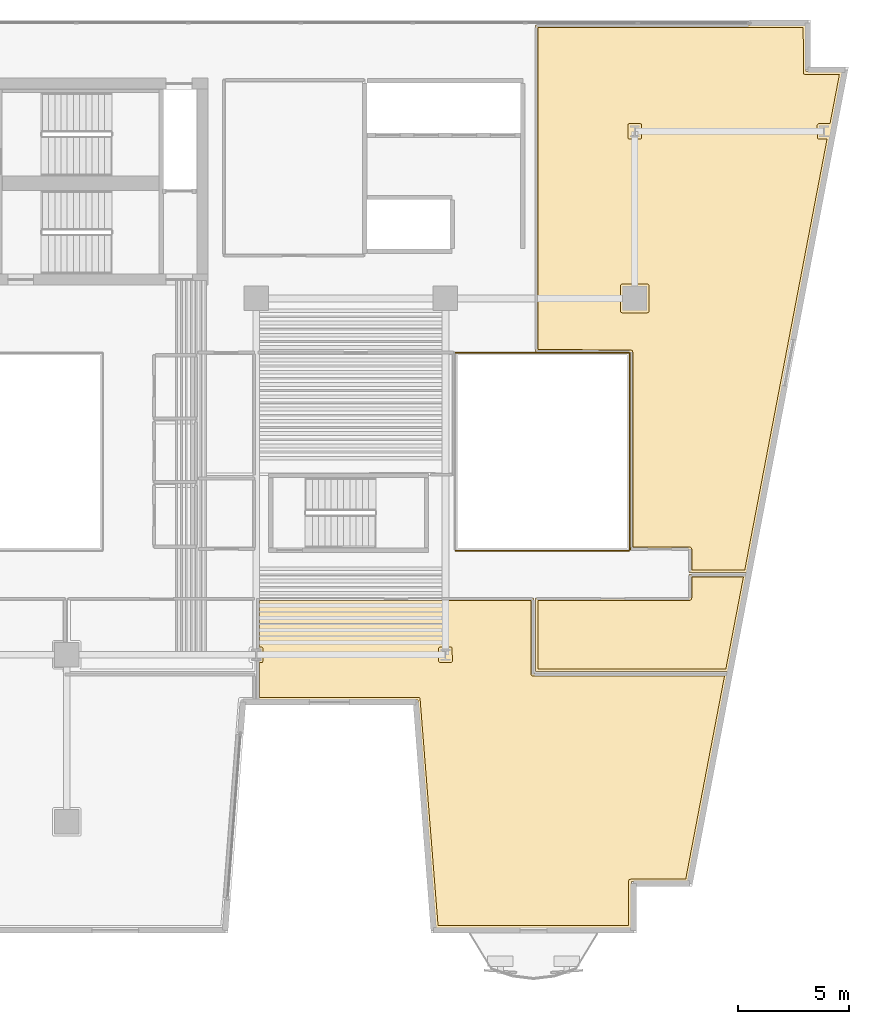
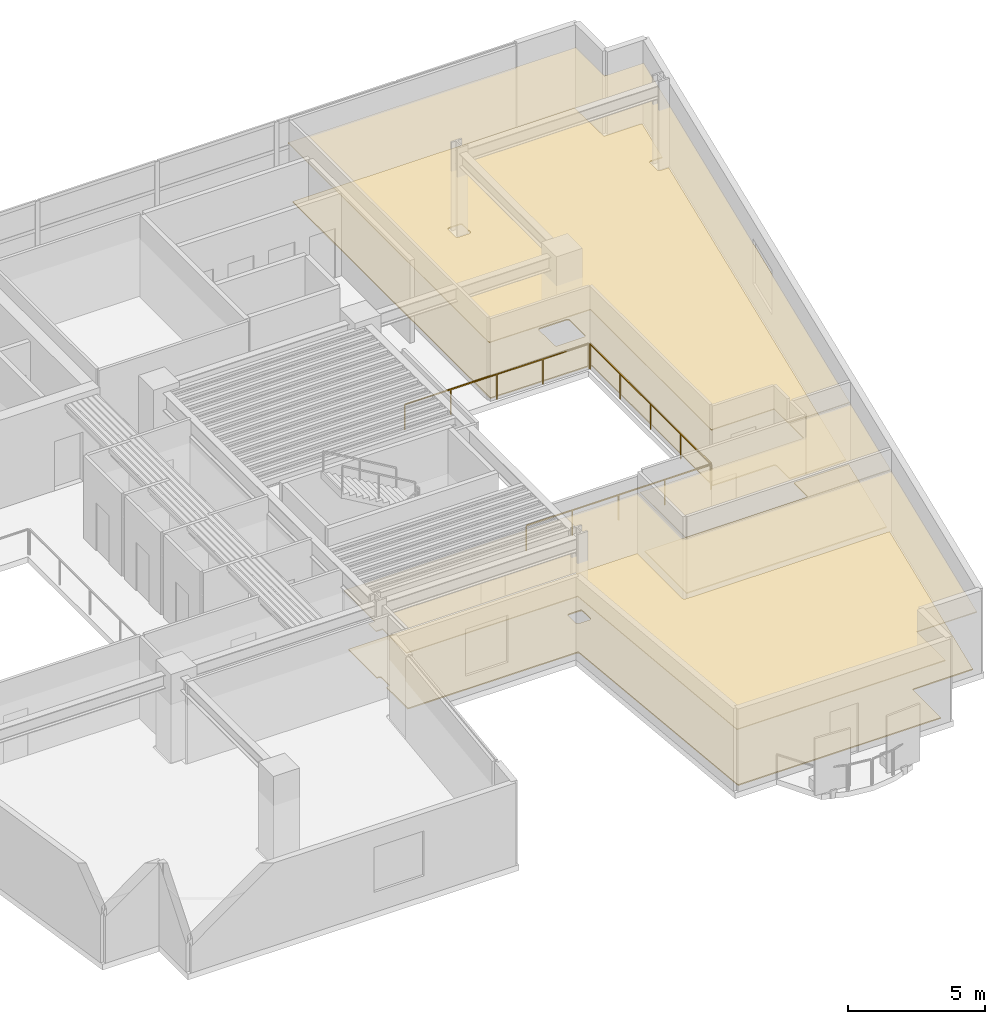
# One storey, part 11 of 12: 6 coverings, 3 railings.
"""IFC4 building model written with IfcOpenShell, lengths in metres."""

from ifc_helpers import new_model, si_unit, direction, frame, origin, origin_2d, place, context, subcontext, project, spatial, polyline, rectangle, outline, extrude, material, layer, layer_set, type_object, element, save


model = new_model("IFC4")

# Units and contexts
model_context = context("Model", 3, precision=1e-05, world=origin(), true_north=direction((0.0, 1.0)))
body_context = subcontext(model_context, "Body", "Model", "MODEL_VIEW")
ifc_project = project(units=[si_unit("LENGTHUNIT", "METRE"), si_unit("AREAUNIT", "SQUARE_METRE"), si_unit("VOLUMEUNIT", "CUBIC_METRE"), si_unit("PLANEANGLEUNIT", "RADIAN"), si_unit("MASSUNIT", "GRAM", prefix="KILO")], contexts=[model_context])

# Site, building, storey
site_placement = place(None, origin())
site = spatial("IfcSite", under=ifc_project, at=site_placement, CompositionType="ELEMENT")
building_placement = place(site_placement, origin())
building = spatial("IfcBuilding", under=site, at=building_placement, Name="Caeloran Harvest Quay", CompositionType="ELEMENT")
storey_placement = place(building_placement, frame((0.0, 0.0, 119.300048828125)))
storey = spatial("IfcBuildingStorey", under=building, at=storey_placement, Name="L27", CompositionType="ELEMENT", Elevation=119.300048828125)

# Coverings
ifc_material_1 = material(Name="Perforated Mineral-Fibre Acoustic Ceiling Tile", Category="ceiling")
ifc_layer_1 = layer(ifc_material_1, 0.0400390625, Name="Perforated Mineral-Fibre Acoustic Ceiling Tile")
ifc_layer_set_1 = layer_set([ifc_layer_1], Name="Perforated Mineral-Fibre Acoustic Ceiling Tile")
covering_type_1 = type_object("IfcCoveringType", Name="COV-CEILING-ACOUSTIC", PredefinedType="CEILING", material=ifc_layer_set_1)
covering_1_placement = place(storey_placement, frame((0.0, 0.0, 2.599853515625)))
element("IfcCovering", 1, at=covering_1_placement, inside=storey, type_object=covering_type_1, Name="Crop Genomics Wet Laboratory Acoustic Ceiling", PredefinedType="CEILING", context=body_context, shape_type="SweptSolid", body=[
    extrude(outline(polyline([(25.5400390625, 14.722900390625), (25.261474609375, 14.722900390625), (25.261474609375, 15.277099609375), (25.5400390625, 15.277099609375), (25.5400390625, 17.56005859375), (37.9599609375, 17.56005859375), (37.9599609375, 14.159912109375), (46.6728515625, 14.159912109375), (44.888916015625, 4.820068359375), (42.35009765625, 4.820068359375), (42.35009765625, 2.719970703125), (33.55859375, 2.719970703125), (32.758544921875, 12.969970703125), (25.5400390625, 12.969970703125), (25.5400390625, 14.722900390625)])), origin(), (0.0, 0.0, 1.0), 0.0400390625),
])
covering_2_placement = place(storey_placement, frame((0.0, 0.0, 2.599853515625)))
element("IfcCovering", 2, at=covering_2_placement, inside=storey, type_object=covering_type_1, Name="Patent Strategy Office Acoustic Ceiling", PredefinedType="CEILING", context=body_context, shape_type="SweptSolid", body=[
    extrude(outline(polyline([(44.93994140625, 17.56005859375), (44.93994140625, 18.610107421875), (47.522705078125, 18.610107421875), (46.68798828125, 14.239990234375), (38.0400390625, 14.239990234375), (38.0400390625, 17.56005859375), (44.93994140625, 17.56005859375)])), origin(), (0.0, 0.0, 1.0), 0.0400390625),
])
covering_3_placement = place(storey_placement, frame((0.0, 0.0, 2.599853515625)))
element("IfcCovering", 3, at=covering_3_placement, inside=storey, type_object=covering_type_1, Name="Phenotyping Sensor Laboratory 10 Acoustic Ceiling", PredefinedType="CEILING", context=body_context, shape_type="SweptSolid", body=[
    extrude(outline(polyline([(50.179931640625, 41.179931640625), (51.8330078125, 41.179931640625), (47.537841796875, 18.68994140625), (44.93994140625, 18.68994140625), (44.93994140625, 19.7099609375), (42.2900390625, 19.7099609375), (42.2900390625, 28.560302734375), (38.0400390625, 28.59033203125), (38.0400390625, 43.280029296875), (50.179931640625, 43.280029296875), (50.179931640625, 41.179931640625)])), origin(), (0.0, 0.0, 1.0), 0.0400390625),
])
ifc_material_2 = material(Name="Calcium-Sulphate Raised Access Floor and Terrazzo Finish", Category="flooring")
ifc_layer_2 = layer(ifc_material_2, 0.050048828125, Name="Calcium-Sulphate Raised Access Floor and Terrazzo Finish")
ifc_layer_set_2 = layer_set([ifc_layer_2], Name="Calcium-Sulphate Raised Access Floor and Terrazzo Finish")
covering_type_2 = type_object("IfcCoveringType", Name="COV-FLOOR-RAISED", PredefinedType="FLOORING", material=ifc_layer_set_2)
covering_4_placement = place(storey_placement, origin())
element("IfcCovering", 4, at=covering_4_placement, inside=storey, type_object=covering_type_2, Name="Crop Genomics Wet Laboratory Raised Finish Flooring", PredefinedType="FLOORING", context=body_context, shape_type="SweptSolid", body=[
    extrude(outline(polyline([(25.659912109375, 13.090087890625), (25.659912109375, 14.64794921875), (25.771240234375, 14.657470703125), (25.8134765625, 14.72802734375), (25.81201171875, 15.28759765625), (25.76416015625, 15.345947265625), (25.659912109375, 15.35205078125), (25.659912109375, 17.43994140625), (37.840087890625, 17.43994140625), (37.840087890625, 14.1201171875), (37.889404296875, 14.046142578125), (46.527587890625, 14.0400390625), (44.789794921875, 4.93994140625), (42.25927734375, 4.921875), (42.22998046875, 4.860107421875), (42.22998046875, 2.840087890625), (33.66943359375, 2.840087890625), (32.85791015625, 13.06005859375), (32.79541015625, 13.090087890625), (25.659912109375, 13.090087890625)]), holes=[polyline([(34.3134765625, 14.72802734375), (34.29541015625, 15.32275390625), (34.2412109375, 15.3515625), (33.7666015625, 15.35205078125), (33.7099609375, 15.32861328125), (33.6865234375, 15.27197265625), (33.6865234375, 14.72802734375), (33.7099609375, 14.67138671875), (33.7666015625, 14.64794921875), (34.2333984375, 14.64794921875), (34.2900390625, 14.67138671875), (34.3134765625, 14.72802734375)])]), origin(), (0.0, 0.0, 1.0), 0.050048828125),
])
covering_5_placement = place(storey_placement, origin())
element("IfcCovering", 5, at=covering_5_placement, inside=storey, type_object=covering_type_2, Name="Patent Strategy Office Raised Finish Flooring", PredefinedType="FLOORING", context=body_context, shape_type="SweptSolid", body=[
    extrude(outline(polyline([(44.97802734375, 17.443603515625), (45.037353515625, 17.4833984375), (45.059814453125, 17.543212890625), (45.06005859375, 18.489990234375), (47.37744140625, 18.489990234375), (46.5888671875, 14.360107421875), (38.159912109375, 14.360107421875), (38.159912109375, 17.43994140625), (44.97802734375, 17.443603515625)])), origin(), (0.0, 0.0, 1.0), 0.050048828125),
])
covering_6_placement = place(storey_placement, origin())
element("IfcCovering", 6, at=covering_6_placement, inside=storey, type_object=covering_type_2, Name="Phenotyping Sensor Laboratory 10 Raised Finish Flooring", PredefinedType="FLOORING", context=body_context, shape_type="SweptSolid", body=[
    extrude(outline(polyline([(38.159912109375, 43.159912109375), (50.06005859375, 43.159912109375), (50.078125, 41.089111328125), (50.139892578125, 41.06005859375), (51.68798828125, 41.06005859375), (51.264892578125, 38.845458984375), (50.7587890625, 38.8515625), (50.68798828125, 38.78759765625), (50.699951171875, 38.18359375), (50.7587890625, 38.1484375), (51.1318359375, 38.14794921875), (47.438720703125, 18.81005859375), (45.06005859375, 18.81005859375), (45.0595703125, 19.7578125), (44.99560546875, 19.82861328125), (42.409912109375, 19.830078125), (42.409912109375, 28.60009765625), (42.38671875, 28.656494140625), (42.33056640625, 28.679931640625), (38.159912109375, 28.70947265625), (38.159912109375, 43.159912109375)]), holes=[polyline([(41.93505859375, 31.64501953125), (41.87841796875, 31.62158203125), (41.85498046875, 31.56494140625), (41.85498046875, 30.43505859375), (41.87841796875, 30.37841796875), (41.93505859375, 30.35498046875), (43.06494140625, 30.35498046875), (43.12158203125, 30.37841796875), (43.14501953125, 30.43505859375), (43.14501953125, 31.56494140625), (43.12158203125, 31.62158203125), (43.06494140625, 31.64501953125), (41.93505859375, 31.64501953125)]), polyline([(42.8134765625, 38.22802734375), (42.79541015625, 38.82275390625), (42.7412109375, 38.8515625), (42.2666015625, 38.85205078125), (42.2099609375, 38.82861328125), (42.1865234375, 38.77197265625), (42.1865234375, 38.22802734375), (42.2099609375, 38.17138671875), (42.2666015625, 38.14794921875), (42.7333984375, 38.14794921875), (42.7900390625, 38.17138671875), (42.8134765625, 38.22802734375)])]), origin(), (0.0, 0.0, 1.0), 0.050048828125),
])

# Railings
ifc_material_3 = material(Name="Powder-Coated Steel Post and Laminated Glass Guardrail", Category="steel")
ifc_layer_3 = layer(ifc_material_3, 0.06005859375, Name="Powder-Coated Steel Post and Laminated Glass Guardrail")
ifc_layer_set_3 = layer_set([ifc_layer_3], Name="Powder-Coated Steel Post and Laminated Glass Guardrail")
railing_type = type_object("IfcRailingType", Name="GUARD-ATRIUM-1150", PredefinedType="GUARDRAIL", material=ifc_layer_set_3)
railing_1_placement = place(storey_placement, frame((34.4619140625, 19.679931640625, 0.0)))
element("IfcRailing", 7, at=railing_1_placement, inside=storey, type_object=railing_type, Name="L27 East Botanical Lightwell Guardrail Seg 1", PredefinedType="GUARDRAIL", context=body_context, shape_type="SweptSolid", body=[
    extrude(rectangle(XDim=0.048095703125, YDim=0.048095703125, at=origin_2d()), frame((0.0, 0.0, 1.1259765625), z_axis=(1.0, 0.0, 0.0), x_axis=(0.0, 1.0, 0.0)), (0.0, 0.0, 1.0), 7.776123046875),
    extrude(rectangle(XDim=0.0419921875, YDim=0.0419921875, at=origin_2d()), origin(), (0.0, 0.0, 1.0), 1.101806640625),
    extrude(rectangle(XDim=0.0419921875, YDim=0.0419921875, at=origin_2d()), frame((1.944091796875, 0.0, 0.0)), (0.0, 0.0, 1.0), 1.101806640625),
    extrude(rectangle(XDim=0.0419921875, YDim=0.0419921875, at=origin_2d()), frame((3.88818359375, 0.0, 0.0)), (0.0, 0.0, 1.0), 1.101806640625),
    extrude(rectangle(XDim=0.0419921875, YDim=0.0419921875, at=origin_2d()), frame((5.83203125, 0.0, 0.0)), (0.0, 0.0, 1.0), 1.101806640625),
    extrude(rectangle(XDim=0.0419921875, YDim=0.0419921875, at=origin_2d()), frame((7.776123046875, 0.0, 0.0)), (0.0, 0.0, 1.0), 1.101806640625),
])
railing_2_placement = place(storey_placement, frame((42.27001953125, 19.7119140625, 0.0)))
element("IfcRailing", 8, at=railing_2_placement, inside=storey, type_object=railing_type, Name="L27 East Botanical Lightwell Guardrail Seg 2", PredefinedType="GUARDRAIL", context=body_context, shape_type="SweptSolid", body=[
    extrude(rectangle(XDim=0.048095703125, YDim=0.048095703125, at=origin_2d()), frame((0.0, 0.0, 1.1259765625), z_axis=(0.0, 1.0, 0.0), x_axis=(-1.0, 0.0, 0.0)), (0.0, 0.0, 1.0), 8.826171875),
    extrude(rectangle(XDim=0.0419921875, YDim=0.0419921875, at=origin_2d()), origin(), (0.0, 0.0, 1.0), 1.101806640625),
    extrude(rectangle(XDim=0.0419921875, YDim=0.0419921875, at=origin_2d()), frame((0.0, 2.20654296875, 0.0)), (0.0, 0.0, 1.0), 1.101806640625),
    extrude(rectangle(XDim=0.0419921875, YDim=0.0419921875, at=origin_2d()), frame((0.0, 4.4130859375, 0.0)), (0.0, 0.0, 1.0), 1.101806640625),
    extrude(rectangle(XDim=0.0419921875, YDim=0.0419921875, at=origin_2d()), frame((0.0, 6.61962890625, 0.0)), (0.0, 0.0, 1.0), 1.101806640625),
    extrude(rectangle(XDim=0.0419921875, YDim=0.0419921875, at=origin_2d()), frame((0.0, 8.826171875, 0.0)), (0.0, 0.0, 1.0), 1.101806640625),
])
railing_3_placement = place(storey_placement, frame((42.238037109375, 28.570068359375, 0.0)))
element("IfcRailing", 9, at=railing_3_placement, inside=storey, type_object=railing_type, Name="L27 East Botanical Lightwell Guardrail Seg 3", PredefinedType="GUARDRAIL", context=body_context, shape_type="SweptSolid", body=[
    extrude(rectangle(XDim=0.048095703125, YDim=0.048095703125, at=origin_2d()), frame((0.0, 0.0, 1.1259765625), z_axis=(-1.0, 0.0, 0.0), x_axis=(0.0, -1.0, 0.0)), (0.0, 0.0, 1.0), 7.776123046875),
    extrude(rectangle(XDim=0.0419921875, YDim=0.0419921875, at=origin_2d()), origin(), (0.0, 0.0, 1.0), 1.101806640625),
    extrude(rectangle(XDim=0.0419921875, YDim=0.0419921875, at=origin_2d()), frame((-1.944091796875, 0.0, 0.0)), (0.0, 0.0, 1.0), 1.101806640625),
    extrude(rectangle(XDim=0.0419921875, YDim=0.0419921875, at=origin_2d()), frame((-3.88818359375, 0.0, 0.0)), (0.0, 0.0, 1.0), 1.101806640625),
    extrude(rectangle(XDim=0.0419921875, YDim=0.0419921875, at=origin_2d()), frame((-5.83203125, 0.0, 0.0)), (0.0, 0.0, 1.0), 1.101806640625),
    extrude(rectangle(XDim=0.0419921875, YDim=0.0419921875, at=origin_2d()), frame((-7.776123046875, 0.0, 0.0)), (0.0, 0.0, 1.0), 1.101806640625),
])

save(model, "model.ifc")
